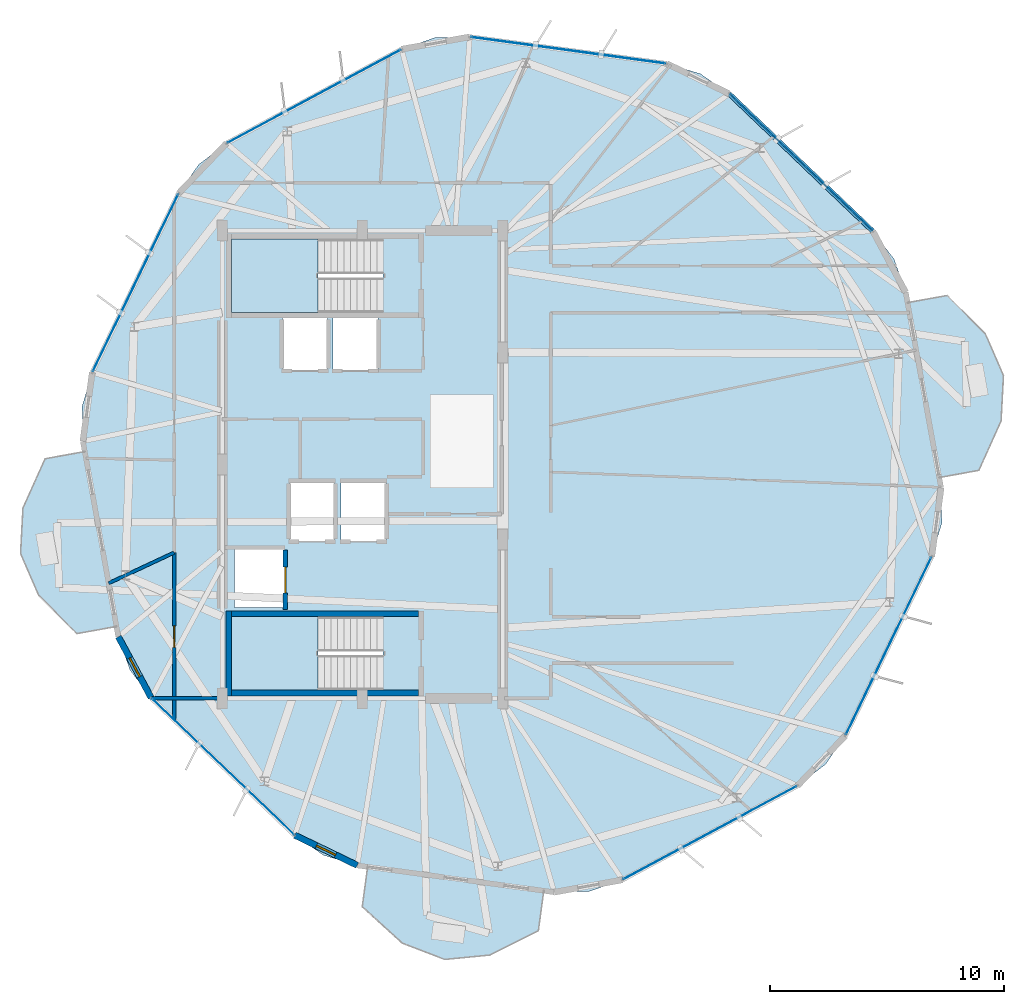
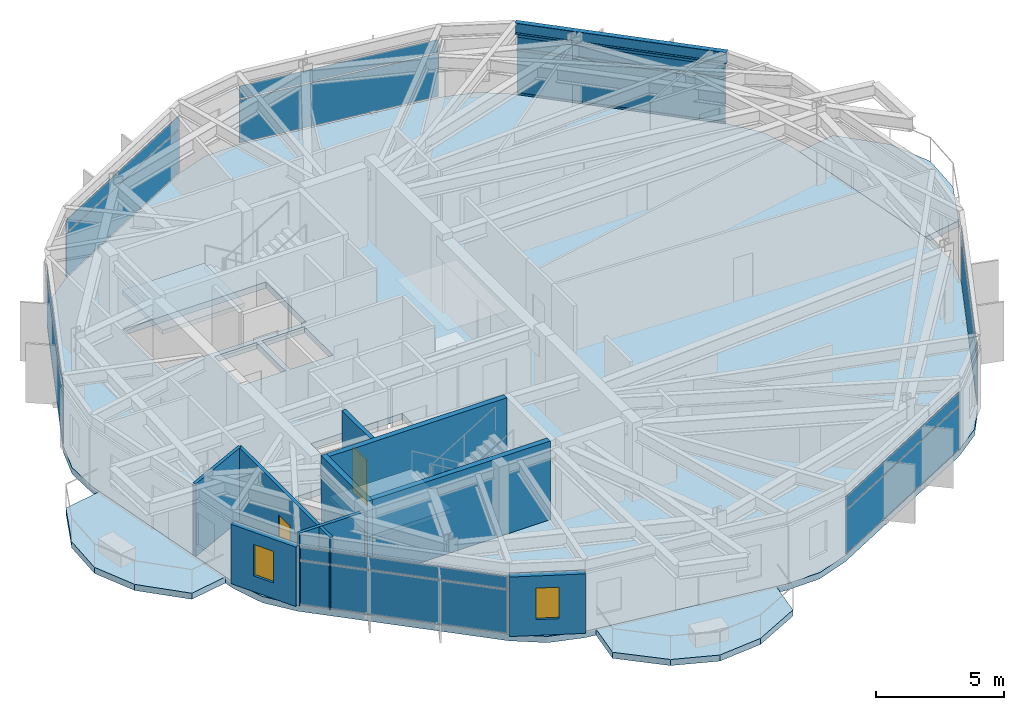
# One storey, part 20 of 26: 14 plates, 9 walls, 6 slabs, 3 members, 2 doors, 2 windows, 1 beam, 4 openings, 9 elements without a shape of their own.
"""IFC4 building model written with IfcOpenShell, lengths in metres."""

from ifc_helpers import new_model, si_unit, direction, frame, frame_2d, origin, origin_2d, place, context, subcontext, project, spatial, polyline, rectangle, hollow_rectangle, i_section, outline, extrude, material, layer, layer_set, material_profile, profile_set, type_object, element, fill, aggregate, save


model = new_model("IFC4")

# Units and contexts
model_context = context("Model", 3, precision=1e-05, world=origin(), true_north=direction((0.0, 1.0)))
body_context = subcontext(model_context, "Body", "Model", "MODEL_VIEW")
ifc_project = project(units=[si_unit("LENGTHUNIT", "METRE"), si_unit("AREAUNIT", "SQUARE_METRE"), si_unit("VOLUMEUNIT", "CUBIC_METRE"), si_unit("PLANEANGLEUNIT", "RADIAN"), si_unit("MASSUNIT", "GRAM", prefix="KILO")], contexts=[model_context])

# Site, building, storey
site_placement = place(None, origin())
site = spatial("IfcSite", under=ifc_project, at=site_placement, CompositionType="ELEMENT")
building_placement = place(site_placement, origin())
building = spatial("IfcBuilding", under=site, at=building_placement, Name="Soratama Intermodal Tower", CompositionType="ELEMENT")
storey_placement = place(building_placement, frame((0.0, 0.0, 268.75)))
storey = spatial("IfcBuildingStorey", under=building, at=storey_placement, Name="L68", CompositionType="ELEMENT", Elevation=268.75)

# Beam
ifc_material_1 = material(Name="Structural steel ASTM A992 Grade 50", Category="steel")
ifc_material_profile_1 = material_profile(ifc_material_1, i_section(OverallWidth=0.2099609375, OverallDepth=0.537109375, WebThickness=0.010986328125, FlangeThickness=0.017333984375, FilletRadius=0.012939453125, at=origin_2d()), Name="W21X68")
ifc_profile_set_1 = profile_set([ifc_material_profile_1], Name="Structural steel ASTM A992 Grade 50")
beam_type = type_object("IfcBeamType", Name="BM-SPN-W21X68", PredefinedType="SPANDREL", material=ifc_profile_set_1)
beam_placement = place(storey_placement, frame((60.431884765625, 34.97998046875, 3.181396484375), z_axis=(-0.722518325547, 0.691351769541, 0.0), x_axis=(-0.691351769541, -0.722518325547, 0.0)))
element("IfcBeam", 1, at=beam_placement, inside=storey, type_object=beam_type, Name="BS-L68-F10", PredefinedType="SPANDREL", context=body_context, shape_type="SweptSolid", body=[
    extrude(i_section(OverallWidth=0.2099609375, OverallDepth=0.537109375, WebThickness=0.010986328125, FlangeThickness=0.017333984375, FilletRadius=0.012939453125, at=origin_2d()), origin(), (0.0, 0.0, 1.0), 8.499267578125),
])

# Curtain wall, members
ifc_material_2 = material(Name="Double-glazed aluminium curtain wall", Category="aluminium")
ifc_layer_1 = layer(ifc_material_2, 0.159912109375)
ifc_layer_set_1 = layer_set([ifc_layer_1], Name="Double-glazed aluminium curtain wall")
curtain_wall_type = type_object("IfcCurtainWallType", Name="CW-SYS-5", PredefinedType="NOTDEFINED", material=ifc_layer_set_1)
curtain_wall_1_placement = place(storey_placement, origin())
curtain_wall_1 = element("IfcCurtainWall", 2, at=curtain_wall_1_placement, inside=storey, type_object=curtain_wall_type, Name="L68 Faceted Curtain Wall F10", PredefinedType="NOTDEFINED")
ifc_material_3 = material(Name="Anodised aluminium AA 6063-T6", Category="aluminium")
ifc_material_profile_2 = material_profile(ifc_material_3, hollow_rectangle(XDim=0.06005859375, YDim=0.1298828125, WallThickness=0.0048828125, InnerFilletRadius=0.0048828125, OuterFilletRadius=0.010009765625, at=origin_2d()), Name="CWT130X60X5")
ifc_profile_set_2 = profile_set([ifc_material_profile_2], Name="Anodised aluminium AA 6063-T6")
member_type = type_object("IfcMemberType", Name="TT-CWT-2", PredefinedType="USERDEFINED", material=ifc_profile_set_2)
member_1_placement = place(storey_placement, frame((60.38916015625, 35.02099609375, 0.030029296875), z_axis=(-0.722493150804, 0.691378078218, 0.0), x_axis=(-0.691378078218, -0.722493150804, 0.0)))
member_1 = element("IfcMember", 3, at=member_1_placement, type_object=member_type, Name="CW-5 transom 1.1", ObjectType="TRANSOM", PredefinedType="USERDEFINED", context=body_context, shape_type="SweptSolid", body=[
    extrude(hollow_rectangle(XDim=0.06005859375, YDim=0.1298828125, WallThickness=0.0048828125, InnerFilletRadius=0.0048828125, OuterFilletRadius=0.010009765625, at=origin_2d()), origin(), (0.0, 0.0, 1.0), 8.3798828125),
])
member_2_placement = place(storey_placement, frame((60.38916015625, 35.02099609375, 2.14990234375), z_axis=(-0.722493150804, 0.691378078218, 0.0), x_axis=(-0.691378078218, -0.722493150804, 0.0)))
member_2 = element("IfcMember", 4, at=member_2_placement, type_object=member_type, Name="CW-5 transom 1.2", ObjectType="TRANSOM", PredefinedType="USERDEFINED", context=body_context, shape_type="SweptSolid", body=[
    extrude(hollow_rectangle(XDim=0.06005859375, YDim=0.1298828125, WallThickness=0.0048828125, InnerFilletRadius=0.0048828125, OuterFilletRadius=0.010009765625, at=origin_2d()), origin(), (0.0, 0.0, 1.0), 8.3798828125),
])
member_3_placement = place(storey_placement, frame((60.38916015625, 35.02099609375, 2.799072265625), z_axis=(-0.722493150804, 0.691378078218, 0.0), x_axis=(-0.691378078218, -0.722493150804, 0.0)))
member_3 = element("IfcMember", 5, at=member_3_placement, type_object=member_type, Name="CW-5 transom 1.3", ObjectType="TRANSOM", PredefinedType="USERDEFINED", context=body_context, shape_type="SweptSolid", body=[
    extrude(hollow_rectangle(XDim=0.06005859375, YDim=0.1298828125, WallThickness=0.0048828125, InnerFilletRadius=0.0048828125, OuterFilletRadius=0.010009765625, at=origin_2d()), origin(), (0.0, 0.0, 1.0), 8.3798828125),
])

# Curtain wall, plates
curtain_wall_2_placement = place(storey_placement, origin())
curtain_wall_2 = element("IfcCurtainWall", 6, at=curtain_wall_2_placement, inside=storey, type_object=curtain_wall_type, Name="L68 Faceted Curtain Wall F01", PredefinedType="NOTDEFINED")
ifc_material_4 = material(Name="Low-E laminated double glazing", Category="glass")
ifc_layer_2 = layer(ifc_material_4, 0.02001953125)
ifc_layer_set_2 = layer_set([ifc_layer_2], Name="Low-E laminated double glazing")
plate_type = type_object("IfcPlateType", Name="PT-CWP-5", PredefinedType="CURTAIN_PANEL", material=ifc_layer_set_2)
plate_1_placement = place(storey_placement, frame((47.407958984375, 42.717041015625, 0.06005859375), z_axis=(0.0, 0.0, 1.0), x_axis=(-0.990890064389, 0.134673235263, 0.0)))
plate_1 = element("IfcPlate", 7, at=plate_1_placement, type_object=plate_type, Name="CW-5 panel 1.1", PredefinedType="CURTAIN_PANEL", context=body_context, shape_type="SweptSolid", body=[
    extrude(rectangle(XDim=8.3798828125, YDim=0.028076171875, at=origin_2d()), origin(), (0.0, 0.0, 1.0), 2.06005859375),
])
plate_2_placement = place(storey_placement, frame((47.407958984375, 42.717041015625, 2.18017578125), z_axis=(0.0, 0.0, 1.0), x_axis=(-0.990890064389, 0.134673235263, 0.0)))
plate_2 = element("IfcPlate", 8, at=plate_2_placement, type_object=plate_type, Name="CW-5 panel 1.2", PredefinedType="CURTAIN_PANEL", context=body_context, shape_type="SweptSolid", body=[
    extrude(rectangle(XDim=8.3798828125, YDim=0.028076171875, at=origin_2d()), origin(), (0.0, 0.0, 1.0), 0.589111328125),
])
aggregate(curtain_wall_2, [plate_1, plate_2])

curtain_wall_3_placement = place(storey_placement, origin())
curtain_wall_3 = element("IfcCurtainWall", 9, at=curtain_wall_3_placement, inside=storey, type_object=curtain_wall_type, Name="L68 Faceted Curtain Wall F02", PredefinedType="NOTDEFINED")
plate_3_placement = place(storey_placement, frame((36.534423828125, 40.748779296875, 0.06005859375), z_axis=(0.0, 0.0, 1.0), x_axis=(-0.8808097392, -0.473470382738, 0.0)))
plate_3 = element("IfcPlate", 10, at=plate_3_placement, type_object=plate_type, Name="CW-5 panel 1.1", PredefinedType="CURTAIN_PANEL", context=body_context, shape_type="SweptSolid", body=[
    extrude(rectangle(XDim=8.3798828125, YDim=0.028076171875, at=origin_2d()), origin(), (0.0, 0.0, 1.0), 2.06005859375),
])
plate_4_placement = place(storey_placement, frame((36.534423828125, 40.748779296875, 2.18017578125), z_axis=(0.0, 0.0, 1.0), x_axis=(-0.8808097392, -0.473470382738, 0.0)))
plate_4 = element("IfcPlate", 11, at=plate_4_placement, type_object=plate_type, Name="CW-5 panel 1.2", PredefinedType="CURTAIN_PANEL", context=body_context, shape_type="SweptSolid", body=[
    extrude(rectangle(XDim=8.3798828125, YDim=0.028076171875, at=origin_2d()), origin(), (0.0, 0.0, 1.0), 0.589111328125),
])
aggregate(curtain_wall_3, [plate_3, plate_4])

curtain_wall_4_placement = place(storey_placement, origin())
curtain_wall_4 = element("IfcCurtainWall", 12, at=curtain_wall_4_placement, inside=storey, type_object=curtain_wall_type, Name="L68 Faceted Curtain Wall F03", PredefinedType="NOTDEFINED")
plate_5_placement = place(storey_placement, frame((28.894287109375, 32.764892578125, 0.06005859375), z_axis=(0.0, 0.0, 1.0), x_axis=(-0.434291685301, -0.900772297575, 0.0)))
plate_5 = element("IfcPlate", 13, at=plate_5_placement, type_object=plate_type, Name="CW-5 panel 1.1", PredefinedType="CURTAIN_PANEL", context=body_context, shape_type="SweptSolid", body=[
    extrude(rectangle(XDim=8.3798828125, YDim=0.028076171875, at=origin_2d()), origin(), (0.0, 0.0, 1.0), 2.06005859375),
])
plate_6_placement = place(storey_placement, frame((28.894287109375, 32.764892578125, 2.18017578125), z_axis=(0.0, 0.0, 1.0), x_axis=(-0.434291685301, -0.900772297575, 0.0)))
plate_6 = element("IfcPlate", 14, at=plate_6_placement, type_object=plate_type, Name="CW-5 panel 1.2", PredefinedType="CURTAIN_PANEL", context=body_context, shape_type="SweptSolid", body=[
    extrude(rectangle(XDim=8.3798828125, YDim=0.028076171875, at=origin_2d()), origin(), (0.0, 0.0, 1.0), 0.589111328125),
])
aggregate(curtain_wall_4, [plate_5, plate_6])

curtain_wall_5_placement = place(storey_placement, origin())
curtain_wall_5 = element("IfcCurtainWall", 15, at=curtain_wall_5_placement, inside=storey, type_object=curtain_wall_type, Name="L68 Faceted Curtain Wall F05", PredefinedType="NOTDEFINED")
plate_7_placement = place(storey_placement, frame((32.63818359375, 12.08203125, 0.06005859375), z_axis=(0.0, 0.0, 1.0), x_axis=(0.722483168605, -0.69138850951, 0.0)))
plate_7 = element("IfcPlate", 16, at=plate_7_placement, type_object=plate_type, Name="CW-5 panel 1.1", PredefinedType="CURTAIN_PANEL", context=body_context, shape_type="SweptSolid", body=[
    extrude(rectangle(XDim=8.3798828125, YDim=0.028076171875, at=origin_2d()), origin(), (0.0, 0.0, 1.0), 2.06005859375),
])
plate_8_placement = place(storey_placement, frame((32.63818359375, 12.08203125, 2.18017578125), z_axis=(0.0, 0.0, 1.0), x_axis=(0.722483168605, -0.69138850951, 0.0)))
plate_8 = element("IfcPlate", 17, at=plate_8_placement, type_object=plate_type, Name="CW-5 panel 1.2", PredefinedType="CURTAIN_PANEL", context=body_context, shape_type="SweptSolid", body=[
    extrude(rectangle(XDim=8.3798828125, YDim=0.028076171875, at=origin_2d()), origin(), (0.0, 0.0, 1.0), 0.589111328125),
])
aggregate(curtain_wall_5, [plate_7, plate_8])

curtain_wall_6_placement = place(storey_placement, origin())
curtain_wall_6 = element("IfcCurtainWall", 18, at=curtain_wall_6_placement, inside=storey, type_object=curtain_wall_type, Name="L68 Faceted Curtain Wall F07", PredefinedType="NOTDEFINED")
plate_9_placement = place(storey_placement, frame((53.465576171875, 9.251220703125, 0.06005859375), z_axis=(0.0, 0.0, 1.0), x_axis=(0.8808097392, 0.473470382738, 0.0)))
plate_9 = element("IfcPlate", 19, at=plate_9_placement, type_object=plate_type, Name="CW-5 panel 1.1", PredefinedType="CURTAIN_PANEL", context=body_context, shape_type="SweptSolid", body=[
    extrude(rectangle(XDim=8.3798828125, YDim=0.028076171875, at=origin_2d()), origin(), (0.0, 0.0, 1.0), 2.06005859375),
])
plate_10_placement = place(storey_placement, frame((53.465576171875, 9.251220703125, 2.18017578125), z_axis=(0.0, 0.0, 1.0), x_axis=(0.8808097392, 0.473470382738, 0.0)))
plate_10 = element("IfcPlate", 20, at=plate_10_placement, type_object=plate_type, Name="CW-5 panel 1.2", PredefinedType="CURTAIN_PANEL", context=body_context, shape_type="SweptSolid", body=[
    extrude(rectangle(XDim=8.3798828125, YDim=0.028076171875, at=origin_2d()), origin(), (0.0, 0.0, 1.0), 0.589111328125),
])
aggregate(curtain_wall_6, [plate_9, plate_10])

curtain_wall_7_placement = place(storey_placement, origin())
curtain_wall_7 = element("IfcCurtainWall", 21, at=curtain_wall_7_placement, inside=storey, type_object=curtain_wall_type, Name="L68 Faceted Curtain Wall F08", PredefinedType="NOTDEFINED")
plate_11_placement = place(storey_placement, frame((61.105712890625, 17.235107421875, 0.06005859375), z_axis=(0.0, 0.0, 1.0), x_axis=(0.434291685301, 0.900772297575, 0.0)))
plate_11 = element("IfcPlate", 22, at=plate_11_placement, type_object=plate_type, Name="CW-5 panel 1.1", PredefinedType="CURTAIN_PANEL", context=body_context, shape_type="SweptSolid", body=[
    extrude(rectangle(XDim=8.3798828125, YDim=0.028076171875, at=origin_2d()), origin(), (0.0, 0.0, 1.0), 2.06005859375),
])
plate_12_placement = place(storey_placement, frame((61.105712890625, 17.235107421875, 2.18017578125), z_axis=(0.0, 0.0, 1.0), x_axis=(0.434291685301, 0.900772297575, 0.0)))
plate_12 = element("IfcPlate", 23, at=plate_12_placement, type_object=plate_type, Name="CW-5 panel 1.2", PredefinedType="CURTAIN_PANEL", context=body_context, shape_type="SweptSolid", body=[
    extrude(rectangle(XDim=8.3798828125, YDim=0.028076171875, at=origin_2d()), origin(), (0.0, 0.0, 1.0), 0.589111328125),
])
aggregate(curtain_wall_7, [plate_11, plate_12])

# Plate
plate_13_placement = place(storey_placement, frame((57.36181640625, 37.91796875, 0.06005859375), z_axis=(0.0, 0.0, 1.0), x_axis=(-0.722483168605, 0.69138850951, 0.0)))
plate_13 = element("IfcPlate", 24, at=plate_13_placement, type_object=plate_type, Name="CW-5 panel 1.1", PredefinedType="CURTAIN_PANEL", context=body_context, shape_type="SweptSolid", body=[
    extrude(rectangle(XDim=8.3798828125, YDim=0.028076171875, at=origin_2d()), origin(), (0.0, 0.0, 1.0), 2.06005859375),
])

plate_14_placement = place(storey_placement, frame((57.36181640625, 37.91796875, 2.18017578125), z_axis=(0.0, 0.0, 1.0), x_axis=(-0.722483168605, 0.69138850951, 0.0)))
plate_14 = element("IfcPlate", 25, at=plate_14_placement, type_object=plate_type, Name="CW-5 panel 1.2", PredefinedType="CURTAIN_PANEL", context=body_context, shape_type="SweptSolid", body=[
    extrude(rectangle(XDim=8.3798828125, YDim=0.028076171875, at=origin_2d()), origin(), (0.0, 0.0, 1.0), 0.589111328125),
])

aggregate(curtain_wall_1, [member_1, member_2, member_3, plate_13, plate_14])

# Slabs
ifc_material_5 = material(Name="Concrete f'c 42 MPa", Category="concrete")
ifc_layer_3 = layer(ifc_material_5, 0.2900390625)
ifc_layer_set_3 = layer_set([ifc_layer_3], Name="Concrete f'c 42 MPa")
slab_type_1 = type_object("IfcSlabType", Name="SL-EXT-BAL2", PredefinedType="FLOOR", material=ifc_layer_set_3)
slab_1_placement = place(storey_placement, frame((0.0, 0.0, -0.2900390625)))
element("IfcSlab", 26, at=slab_1_placement, inside=storey, type_object=slab_type_1, Name="L68 Planted Balcony East 1", PredefinedType="FLOOR", context=body_context, shape_type="SweptSolid", body=[
    extrude(outline(polyline([(63.270751953125, 24.445556640625), (61.9169921875, 31.923828125), (63.609619140625, 32.22998046875), (65.238037109375, 30.593994140625), (66.018310546875, 28.804443359375), (65.914794921875, 26.85498046875), (64.963134765625, 24.751953125), (63.270751953125, 24.445556640625)])), origin(), (0.0, 0.0, 1.0), 0.2900390625),
])
slab_2_placement = place(storey_placement, frame((0.0, 0.0, -0.2900390625)))
element("IfcSlab", 27, at=slab_2_placement, inside=storey, type_object=slab_type_1, Name="L68 Planted Balcony West 2", PredefinedType="FLOOR", context=body_context, shape_type="SweptSolid", body=[
    extrude(outline(polyline([(26.729248046875, 25.554443359375), (28.0830078125, 18.076171875), (26.390380859375, 17.77001953125), (24.761962890625, 19.406005859375), (23.981689453125, 21.195556640625), (24.085205078125, 23.14501953125), (25.036865234375, 25.248046875), (26.729248046875, 25.554443359375)])), origin(), (0.0, 0.0, 1.0), 0.2900390625),
])
slab_3_placement = place(storey_placement, frame((0.0, 0.0, -0.2900390625)))
element("IfcSlab", 28, at=slab_3_placement, inside=storey, type_object=slab_type_1, Name="L68 Planted Balcony South 3", PredefinedType="FLOOR", context=body_context, shape_type="SweptSolid", body=[
    extrude(outline(polyline([(38.82666015625, 7.794921875), (46.357421875, 6.771240234375), (46.125732421875, 5.06689453125), (44.06640625, 4.02392578125), (42.123291015625, 3.834716796875), (40.30126953125, 4.53564453125), (38.59521484375, 6.090576171875), (38.82666015625, 7.794921875)])), origin(), (0.0, 0.0, 1.0), 0.2900390625),
])

# Stair, slab
ifc_material_6 = material(Name="Concrete f'c 42 MPa", Category="concrete")
stair_type = type_object("IfcStairType", Name="ST-CORE-DOGLEG", PredefinedType="HALF_TURN_STAIR", material=ifc_material_6)
stair_1_placement = place(storey_placement, origin())
stair_1 = element("IfcStair", 29, at=stair_1_placement, inside=storey, type_object=stair_type, Name="L68 ST-1", PredefinedType="HALF_TURN_STAIR")
ifc_material_7 = material(Name="Concrete f'c 42 MPa", Category="concrete")
ifc_layer_4 = layer(ifc_material_7, 0.219970703125)
ifc_layer_set_4 = layer_set([ifc_layer_4], Name="Concrete f'c 42 MPa")
slab_type_2 = type_object("IfcSlabType", Name="SL-STAIR-LAND", PredefinedType="LANDING", material=ifc_layer_set_4)
slab_4_placement = place(storey_placement, frame((0.0, 0.0, 1.675048828125)))
slab_4 = element("IfcSlab", 30, at=slab_4_placement, type_object=slab_type_2, Name="ST-1 landing 1", PredefinedType="LANDING", context=body_context, shape_type="SweptSolid", body=[
    extrude(outline(polyline([(36.699951171875, 18.5), (33.0, 18.5), (33.0, 15.35009765625), (36.699951171875, 15.35009765625), (36.699951171875, 18.5)])), origin(), (0.0, 0.0, 1.0), 0.199951171875),
])
aggregate(stair_1, [slab_4])

stair_2_placement = place(storey_placement, origin())
stair_2 = element("IfcStair", 31, at=stair_2_placement, inside=storey, type_object=stair_type, Name="L68 ST-2", PredefinedType="HALF_TURN_STAIR")
slab_5_placement = place(storey_placement, frame((0.0, 0.0, 1.675048828125)))
slab_5 = element("IfcSlab", 32, at=slab_5_placement, type_object=slab_type_2, Name="ST-2 landing 1", PredefinedType="LANDING", context=body_context, shape_type="SweptSolid", body=[
    extrude(outline(polyline([(36.699951171875, 34.64990234375), (33.0, 34.64990234375), (33.0, 31.5), (36.699951171875, 31.5), (36.699951171875, 34.64990234375)])), origin(), (0.0, 0.0, 1.0), 0.199951171875),
])
aggregate(stair_2, [slab_5])

# Slab
ifc_material_8 = material(Name="Concrete f'c 42 MPa", Category="concrete")
ifc_layer_5 = layer(ifc_material_8, 0.280029296875)
ifc_layer_set_5 = layer_set([ifc_layer_5], Name="Concrete f'c 42 MPa")
slab_type_3 = type_object("IfcSlabType", Name="SL-TWR-280", PredefinedType="FLOOR", material=ifc_layer_set_5)
slab_6_placement = place(storey_placement, frame((0.0, 0.0, -0.300048828125)))
element("IfcSlab", 33, at=slab_6_placement, inside=storey, type_object=slab_type_3, Name="L68 Structural Floor Slab", PredefinedType="FLOOR", context=body_context, shape_type="SweptSolid", body=[
    extrude(outline(polyline([(54.29150390625, 40.856201171875), (53.057373046875, 41.7119140625), (51.619140625, 42.14453125), (43.19677734375, 43.289306640625), (41.6953125, 43.25634765625), (40.277587890625, 42.760986328125), (32.791015625, 38.736572265625), (31.595703125, 37.827392578125), (30.739990234375, 36.59326171875), (27.048583984375, 28.936767578125), (26.615966796875, 27.498779296875), (26.649169921875, 25.997314453125), (28.1630859375, 17.63330078125), (28.658447265625, 16.2158203125), (29.567626953125, 15.0205078125), (35.70849609375, 9.143798828125), (36.942626953125, 8.2880859375), (38.380859375, 7.85546875), (46.80322265625, 6.710693359375), (48.3046875, 6.74365234375), (49.722412109375, 7.239013671875), (57.208984375, 11.263427734375), (58.404296875, 12.172607421875), (59.260009765625, 13.40673828125), (62.951416015625, 21.063232421875), (63.384033203125, 22.501220703125), (63.350830078125, 24.002685546875), (61.8369140625, 32.36669921875), (61.341552734375, 33.7841796875), (60.432373046875, 34.9794921875), (54.29150390625, 40.856201171875)]), holes=[polyline([(33.0, 15.35009765625), (39.47509765625, 15.35009765625), (39.47509765625, 18.5), (33.0, 18.5), (33.0, 15.35009765625)]), polyline([(35.260009765625, 21.409912109375), (33.139892578125, 21.409912109375), (33.139892578125, 18.889892578125), (35.260009765625, 18.889892578125), (35.260009765625, 21.409912109375)]), polyline([(37.409912109375, 24.260009765625), (35.489990234375, 24.260009765625), (35.489990234375, 21.739990234375), (37.409912109375, 21.739990234375), (37.409912109375, 24.260009765625)]), polyline([(39.610107421875, 24.260009765625), (37.68994140625, 24.260009765625), (37.68994140625, 21.739990234375), (39.610107421875, 21.739990234375), (39.610107421875, 24.260009765625)]), polyline([(37.110107421875, 31.260009765625), (35.18994140625, 31.260009765625), (35.18994140625, 29.0400390625), (37.110107421875, 29.0400390625), (37.110107421875, 31.260009765625)]), polyline([(39.260009765625, 31.260009765625), (37.340087890625, 31.260009765625), (37.340087890625, 29.0400390625), (39.260009765625, 29.0400390625), (39.260009765625, 31.260009765625)]), polyline([(33.0, 34.64990234375), (33.0, 31.5), (39.47509765625, 31.5), (39.47509765625, 34.64990234375), (33.0, 34.64990234375)])]), origin(), (0.0, 0.0, 1.0), 0.300048828125),
])

# Wall, opening, window
ifc_material_9 = material(Name="Concrete f'c 42 MPa", Category="concrete")
ifc_layer_6 = layer(ifc_material_9, 0.27001953125)
ifc_layer_set_6 = layer_set([ifc_layer_6], Name="Concrete f'c 42 MPa")
wall_type_1 = type_object("IfcWallType", Name="EW-CRN-270", PredefinedType="SOLIDWALL", material=ifc_layer_set_6)
wall_1_placement = place(storey_placement, frame((28.1630859375, 17.63330078125, 0.0), z_axis=(0.0, 0.0, 1.0), x_axis=(0.473486214629, -0.880801228744, 0.0)))
wall_1 = element("IfcWall", 34, at=wall_1_placement, inside=storey, type_object=wall_type_1, Name="L68 Corner Closure Wall 04", PredefinedType="SOLIDWALL", context=body_context, shape_type="SweptSolid", body=[
    extrude(rectangle(XDim=2.96630859375, YDim=0.27001953125, at=frame_2d((1.483154296875, 0.0))), origin(), (0.0, 0.0, 1.0), 2.8291015625),
])
opening_1_placement = place(wall_1_placement, frame((1.033203125, 0.0, 0.75)))
opening_1 = element("IfcOpeningElement", 35, at=opening_1_placement, cuts=wall_1, Name="Opening WN-6", PredefinedType="OPENING", context=body_context, shape_type="SweptSolid", body=[
    extrude(rectangle(XDim=0.89990234375, YDim=1.5, at=frame_2d((0.449951171875, 0.75))), frame((0.0, 0.14501953125, 0.0), z_axis=(0.0, -1.0, 0.0), x_axis=(1.0, 0.0, 0.0)), (0.0, 0.0, 1.0), 0.2900390625),
])
ifc_material_10 = material(Name="Double-glazed aluminium window", Category="aluminium")
window_type = type_object("IfcWindowType", Name="WN-FAC-900", PartitioningType="SINGLE_PANEL", PredefinedType="WINDOW", material=ifc_material_10)
window_1_placement = place(opening_1_placement, origin())
window_1 = element("IfcWindow", 36, at=window_1_placement, inside=storey, type_object=window_type, Name="L68 Corner Window 04", OverallHeight=1.5, OverallWidth=0.89990234375, PartitioningType="SINGLE_PANEL", PredefinedType="WINDOW", context=body_context, shape_type="SweptSolid", body=[
    extrude(rectangle(XDim=0.89990234375, YDim=1.5, at=frame_2d((0.449951171875, 0.75))), frame((0.0, 0.030029296875, 0.0), z_axis=(0.0, -1.0, 0.0), x_axis=(1.0, 0.0, 0.0)), (0.0, 0.0, 1.0), 0.06005859375),
])
fill(opening_1, window_1)

wall_2_placement = place(storey_placement, frame((35.70849609375, 9.143798828125, 0.0), z_axis=(0.0, 0.0, 1.0), x_axis=(0.900785927186, -0.434263414742, 0.0)))
wall_2 = element("IfcWall", 37, at=wall_2_placement, inside=storey, type_object=wall_type_1, Name="L68 Corner Closure Wall 05", PredefinedType="SOLIDWALL", context=body_context, shape_type="SweptSolid", body=[
    extrude(rectangle(XDim=2.966796875, YDim=0.27001953125, at=frame_2d((1.4833984375, 0.0))), origin(), (0.0, 0.0, 1.0), 2.8291015625),
])
opening_2_placement = place(wall_2_placement, frame((1.033203125, 0.0, 0.75)))
opening_2 = element("IfcOpeningElement", 38, at=opening_2_placement, cuts=wall_2, Name="Opening WN-6", PredefinedType="OPENING", context=body_context, shape_type="SweptSolid", body=[
    extrude(rectangle(XDim=0.89990234375, YDim=1.5, at=frame_2d((0.449951171875, 0.75))), frame((0.0, 0.14501953125, 0.0), z_axis=(0.0, -1.0, 0.0), x_axis=(1.0, 0.0, 0.0)), (0.0, 0.0, 1.0), 0.2900390625),
])
window_2_placement = place(opening_2_placement, origin())
window_2 = element("IfcWindow", 39, at=window_2_placement, inside=storey, type_object=window_type, Name="L68 Corner Window 05", OverallHeight=1.5, OverallWidth=0.89990234375, PartitioningType="SINGLE_PANEL", PredefinedType="WINDOW", context=body_context, shape_type="SweptSolid", body=[
    extrude(rectangle(XDim=0.89990234375, YDim=1.5, at=frame_2d((0.449951171875, 0.75))), frame((0.0, 0.030029296875, 0.0), z_axis=(0.0, -1.0, 0.0), x_axis=(1.0, 0.0, 0.0)), (0.0, 0.0, 1.0), 0.06005859375),
])
fill(opening_2, window_2)

# Wall, opening, door
ifc_material_11 = material(Name="Fire-rated gypsum stud partition", Category="concrete")
ifc_layer_7 = layer(ifc_material_11, 0.14990234375)
ifc_layer_set_7 = layer_set([ifc_layer_7], Name="Fire-rated gypsum stud partition")
wall_type_2 = type_object("IfcWallType", Name="IW-PART-R150", PredefinedType="PARTITIONING", material=ifc_layer_set_7)
wall_3_placement = place(storey_placement, frame((30.550048828125, 14.080078125, 0.0), z_axis=(0.0, 0.0, 1.0), x_axis=(0.0, 1.0, 0.0)))
wall_3 = element("IfcWall", 40, at=wall_3_placement, inside=storey, type_object=wall_type_2, Name="L68 Partition W-L68-TP009", PredefinedType="PARTITIONING", context=body_context, shape_type="SweptSolid", body=[
    extrude(rectangle(XDim=7.15380859375, YDim=0.14990234375, at=frame_2d((3.576904296875, 0.0))), origin(), (0.0, 0.0, 1.0), 3.449951171875),
])
opening_3_placement = place(wall_3_placement, frame((3.10205078125, 0.0, 0.0)))
opening_3 = element("IfcOpeningElement", 41, at=opening_3_placement, cuts=wall_3, Name="Opening ID-6", PredefinedType="OPENING", context=body_context, shape_type="SweptSolid", body=[
    extrude(rectangle(XDim=0.919921875, YDim=2.1201171875, at=frame_2d((0.4599609375, 1.06005859375))), frame((0.0, 0.0849609375, 0.0), z_axis=(0.0, -1.0, 0.0), x_axis=(1.0, 0.0, 0.0)), (0.0, 0.0, 1.0), 0.169921875),
])
ifc_material_12 = material(Name="Solid hardwood acoustic door", Category="wood")
door_type_1 = type_object("IfcDoorType", Name="DR-ROOM-920", OperationType="NOTDEFINED", PredefinedType="DOOR", material=ifc_material_12)
door_1_placement = place(opening_3_placement, origin())
door_1 = element("IfcDoor", 42, at=door_1_placement, inside=storey, type_object=door_type_1, Name="L68 Door D-L68-TP004", OperationType="SINGLE_SWING_LEFT", OverallHeight=2.1201171875, OverallWidth=0.919921875, PredefinedType="DOOR", context=body_context, shape_type="SweptSolid", body=[
    extrude(rectangle(XDim=0.919921875, YDim=2.1201171875, at=frame_2d((0.4599609375, 1.06005859375))), frame((0.0, 0.02490234375, 0.0), z_axis=(0.0, -1.0, 0.0), x_axis=(1.0, 0.0, 0.0)), (0.0, 0.0, 1.0), 0.050048828125),
])
fill(opening_3, door_1)

# Walls
wall_4_placement = place(storey_placement, frame((32.530029296875, 15.0, 0.0), z_axis=(0.0, 0.0, 1.0), x_axis=(-1.0, 0.0, 0.0)))
element("IfcWall", 43, at=wall_4_placement, inside=storey, type_object=wall_type_2, Name="L68 Partition W-L68-TP025", PredefinedType="PARTITIONING", context=body_context, shape_type="SweptSolid", body=[
    extrude(rectangle(XDim=2.94091796875, YDim=0.14990234375, at=frame_2d((1.470458984375, 0.0))), origin(), (0.0, 0.0, 1.0), 3.449951171875),
])
ifc_material_13 = material(Name="Fire-rated gypsum stud partition", Category="concrete")
ifc_layer_8 = layer(ifc_material_13, 0.139892578125)
ifc_layer_set_8 = layer_set([ifc_layer_8], Name="Fire-rated gypsum stud partition")
wall_type_3 = type_object("IfcWallType", Name="IW-PART-S140", PredefinedType="PARTITIONING", material=ifc_layer_set_8)
wall_5_placement = place(storey_placement, frame((30.550048828125, 21.23388671875, 0.0), z_axis=(0.0, 0.0, 1.0), x_axis=(-0.905730852607, -0.423853303203, 0.0)))
element("IfcWall", 44, at=wall_5_placement, inside=storey, type_object=wall_type_3, Name="L68 Partition W-L68-TP023", PredefinedType="PARTITIONING", context=body_context, shape_type="SweptSolid", body=[
    extrude(rectangle(XDim=3.092529296875, YDim=0.139892578125, at=frame_2d((1.54638671875, 0.0))), origin(), (0.0, 0.0, 1.0), 3.449951171875),
])

# Wall, opening, door
ifc_material_14 = material(Name="Concrete f'c 42 MPa", Category="concrete")
ifc_layer_9 = layer(ifc_material_14, 0.18505859375)
ifc_layer_set_9 = layer_set([ifc_layer_9], Name="Concrete f'c 42 MPa")
wall_type_4 = type_object("IfcWallType", Name="IW-SHAFT-185", PredefinedType="SOLIDWALL", material=ifc_layer_set_9)
wall_6_placement = place(storey_placement, frame((35.300048828125, 18.7900390625, 0.0), z_axis=(0.0, 0.0, 1.0), x_axis=(0.0, 1.0, 0.0)))
wall_6 = element("IfcWall", 45, at=wall_6_placement, inside=storey, type_object=wall_type_4, Name="L68 SVL-1 Hoistway Wall E", PredefinedType="SOLIDWALL", context=body_context, shape_type="SweptSolid", body=[
    extrude(rectangle(XDim=2.550048828125, YDim=0.18505859375, at=frame_2d((1.27490234375, 0.0))), origin(), (0.0, 0.0, 1.0), 3.449951171875),
])
opening_4_placement = place(wall_6_placement, frame((0.72509765625, 0.0, 0.0)))
opening_4 = element("IfcOpeningElement", 46, at=opening_4_placement, cuts=wall_6, Name="Opening LD-1", PredefinedType="OPENING", context=body_context, shape_type="SweptSolid", body=[
    extrude(rectangle(XDim=1.10009765625, YDim=2.14990234375, at=frame_2d((0.550048828125, 1.074951171875))), frame((0.0, 0.1025390625, 0.0), z_axis=(0.0, -1.0, 0.0), x_axis=(1.0, 0.0, 0.0)), (0.0, 0.0, 1.0), 0.205078125),
])
ifc_material_15 = material(Name="Steel fire door", Category="steel")
door_type_2 = type_object("IfcDoorType", Name="DR-LIFT-SLIDE", OperationType="NOTDEFINED", PredefinedType="DOOR", material=ifc_material_15)
door_2_placement = place(opening_4_placement, origin())
door_2 = element("IfcDoor", 47, at=door_2_placement, inside=storey, type_object=door_type_2, Name="L68 SVL-1 Sliding Landing Door", OperationType="SLIDING_TO_LEFT", OverallHeight=2.14990234375, OverallWidth=1.10009765625, PredefinedType="DOOR", context=body_context, shape_type="SweptSolid", body=[
    extrude(rectangle(XDim=1.10009765625, YDim=2.14990234375, at=frame_2d((0.550048828125, 1.074951171875))), frame((0.0, 0.02490234375, 0.0), z_axis=(0.0, -1.0, 0.0), x_axis=(1.0, 0.0, 0.0)), (0.0, 0.0, 1.0), 0.050048828125),
])
fill(opening_4, door_2)

# Walls
ifc_material_16 = material(Name="Concrete f'c 56 MPa", Category="concrete")
ifc_layer_10 = layer(ifc_material_16, 0.239990234375)
ifc_layer_set_10 = layer_set([ifc_layer_10], Name="Concrete f'c 56 MPa")
wall_type_5 = type_object("IfcWallType", Name="SW-STAIR-240", PredefinedType="SHEAR", material=ifc_layer_set_10)
wall_7_placement = place(storey_placement, frame((32.8798828125, 15.110107421875, 0.0), z_axis=(0.0, 0.0, 1.0), x_axis=(0.0, 1.0, 0.0)))
element("IfcWall", 48, at=wall_7_placement, inside=storey, type_object=wall_type_5, Name="L68 ST-1 Shaft Shear Wall W", PredefinedType="SHEAR", context=body_context, shape_type="SweptSolid", body=[
    extrude(rectangle(XDim=3.6298828125, YDim=0.239990234375, at=frame_2d((1.81494140625, 0.0))), origin(), (0.0, 0.0, 1.0), 3.75),
])
for number, where, z_axis, x_axis, name in (
    (49, (33.0, 15.22998046875, 0.0), (0.0, 0.0, 1.0), (1.0, 0.0, 0.0), "L68 ST-1 Shaft Shear Wall S"),
    (50, (33.0, 18.6201171875, 0.0), (0.0, 0.0, 1.0), (1.0, 0.0, 0.0), "L68 ST-1 Shaft Shear Wall N"),
):
    element("IfcWall", number, at=place(storey_placement, frame(where, z_axis=z_axis, x_axis=x_axis)), inside=storey, type_object=wall_type_5, Name=name, PredefinedType="SHEAR", context=body_context, shape_type="SweptSolid", body=[
        extrude(rectangle(XDim=8.0, YDim=0.239990234375, at=frame_2d((4.0, 0.0))), origin(), (0.0, 0.0, 1.0), 3.75),
    ])

save(model, "model.ifc")
